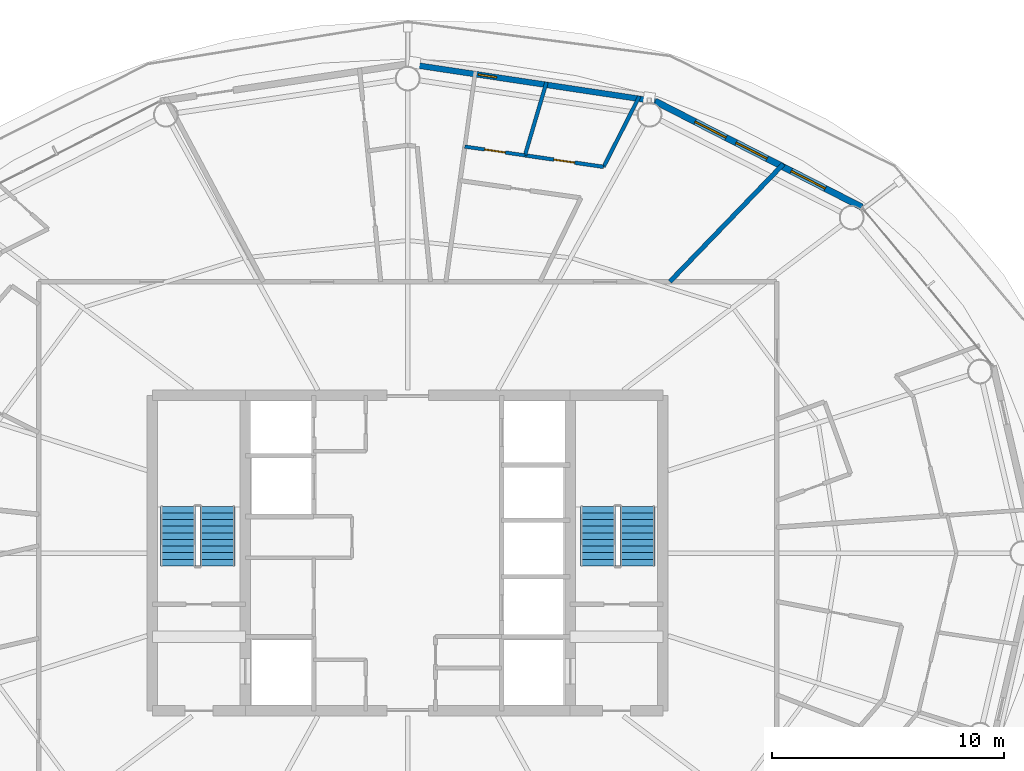
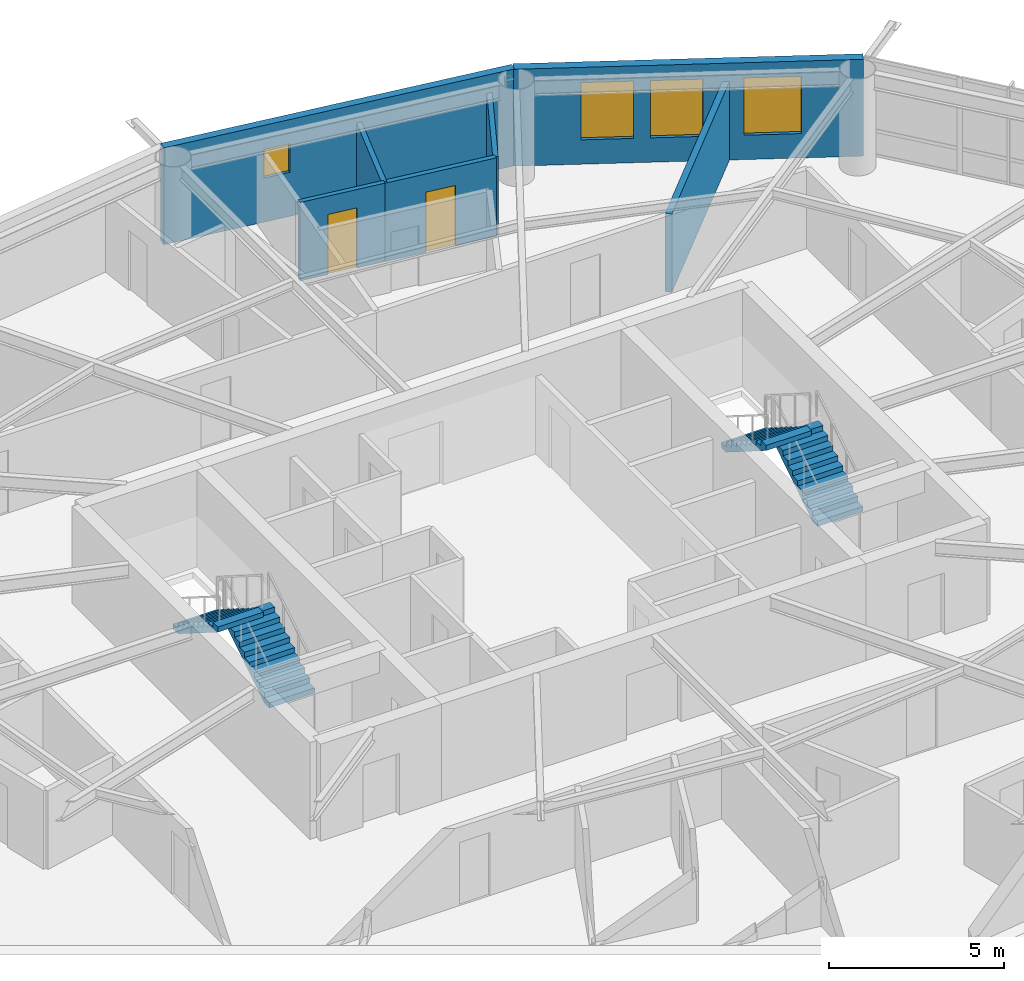
# One storey, part 24 of 27: 7 walls, 4 stair flights, 4 windows, 2 doors, 6 openings, 2 elements without a shape of their own.
"""IFC4 building model written with IfcOpenShell, lengths in metres."""

from ifc_helpers import new_model, si_unit, direction, frame, frame_2d, origin, place, context, subcontext, project, spatial, polyline, rectangle, outline, extrude, material, layer, layer_set, type_object, element, fill, aggregate, save


model = new_model("IFC4")

# Units and contexts
model_context = context("Model", 3, precision=1e-05, world=origin(), true_north=direction((0.0, 1.0)))
body_context = subcontext(model_context, "Body", "Model", "MODEL_VIEW")
ifc_project = project(units=[si_unit("LENGTHUNIT", "METRE"), si_unit("AREAUNIT", "SQUARE_METRE"), si_unit("VOLUMEUNIT", "CUBIC_METRE"), si_unit("PLANEANGLEUNIT", "RADIAN"), si_unit("MASSUNIT", "GRAM", prefix="KILO")], contexts=[model_context])

# Site, building, storey
site_placement = place(None, origin())
site = spatial("IfcSite", under=ifc_project, at=site_placement, CompositionType="ELEMENT")
building_placement = place(site_placement, origin())
building = spatial("IfcBuilding", under=site, at=building_placement, Name="Sarneth Arch Tower", CompositionType="ELEMENT")
storey_placement = place(building_placement, frame((0.0, 0.0, 157.800048828125)))
storey = spatial("IfcBuildingStorey", under=building, at=storey_placement, Name="L39", CompositionType="ELEMENT", Elevation=157.800048828125)

# Wall, opening, window
ifc_material_1 = material(Name="Extruded terracotta rainscreen on Concrete C40/50 backing", Category="masonry")
ifc_layer_1 = layer(ifc_material_1, 0.25)
ifc_layer_set_1 = layer_set([ifc_layer_1], Name="Extruded terracotta rainscreen on Concrete C40/50 backing")
wall_type_1 = type_object("IfcWallType", Name="WALL-EXT-SPAND-250", PredefinedType="SOLIDWALL", material=ifc_layer_set_1)
wall_1_placement = place(storey_placement, frame((58.662841796875, 61.475341796875, 0.0), z_axis=(0.0, 0.0, 1.0), x_axis=(-0.988863993413, 0.148822049884, 0.0)))
wall_1 = element("IfcWall", 1, at=wall_1_placement, inside=storey, type_object=wall_type_1, Name="L39 Terracotta perimeter wall 04", PredefinedType="SOLIDWALL", context=body_context, shape_type="SweptSolid", body=[
    extrude(rectangle(XDim=10.782958984375, YDim=0.25, at=frame_2d((5.3916015625, 0.0))), origin(), (0.0, 0.0, 1.0), 3.3798828125),
])
opening_1_placement = place(wall_1_placement, frame((6.91015625, 0.0, 1.5400390625)))
opening_1 = element("IfcOpeningElement", 2, at=opening_1_placement, cuts=wall_1, Name="Opening W-15", PredefinedType="OPENING", context=body_context, shape_type="SweptSolid", body=[
    extrude(rectangle(XDim=0.800048828125, YDim=1.0, at=frame_2d((0.39990234375, 0.5))), frame((0.0, 0.135009765625, 0.0), z_axis=(0.0, -1.0, 0.0), x_axis=(1.0, 0.0, 0.0)), (0.0, 0.0, 1.0), 0.27001953125),
])
ifc_material_2 = material(Name="Thermally broken Aluminium 6063-T6 and low-e laminated IGU", Category="aluminium")
window_type_1 = type_object("IfcWindowType", Name="WIN-TWR-800x1000", PartitioningType="SINGLE_PANEL", PredefinedType="WINDOW", material=ifc_material_2)
window_1_placement = place(opening_1_placement, origin())
window_1 = element("IfcWindow", 3, at=window_1_placement, inside=storey, type_object=window_type_1, Name="L39 Dwelling bedroom window 01", OverallHeight=1.0, OverallWidth=0.800048828125, PartitioningType="SINGLE_PANEL", PredefinedType="WINDOW", context=body_context, shape_type="SweptSolid", body=[
    extrude(rectangle(XDim=0.800048828125, YDim=1.0, at=frame_2d((0.39990234375, 0.5))), frame((0.0, 0.030029296875, 0.0), z_axis=(0.0, -1.0, 0.0), x_axis=(1.0, 0.0, 0.0)), (0.0, 0.0, 1.0), 0.06005859375),
])
fill(opening_1, window_1)

# Wall, openings, windows
ifc_material_3 = material(Name="Extruded terracotta rainscreen on Concrete C40/50 backing", Category="masonry")
ifc_layer_2 = layer(ifc_material_3, 0.280029296875)
ifc_layer_set_2 = layer_set([ifc_layer_2], Name="Extruded terracotta rainscreen on Concrete C40/50 backing")
wall_type_2 = type_object("IfcWallType", Name="WALL-EXT-TERRA-280", PredefinedType="SOLIDWALL", material=ifc_layer_set_2)
wall_2_placement = place(storey_placement, frame((67.576171875, 56.90576171875, 0.0), z_axis=(0.0, 0.0, 1.0), x_axis=(-0.889872523182, 0.456209263919, 0.0)))
wall_2 = element("IfcWall", 4, at=wall_2_placement, inside=storey, type_object=wall_type_2, Name="L39 Terracotta perimeter wall 03", PredefinedType="SOLIDWALL", context=body_context, shape_type="SweptSolid", body=[
    extrude(rectangle(XDim=10.016357421875, YDim=0.280029296875, at=frame_2d((5.00830078125, 0.0))), origin(), (0.0, 0.0, 1.0), 3.3798828125),
])
opening_2_placement = place(wall_2_placement, frame((1.775146484375, 0.0, 0.85009765625)))
opening_2 = element("IfcOpeningElement", 5, at=opening_2_placement, cuts=wall_2, Name="Opening W-05", PredefinedType="OPENING", context=body_context, shape_type="SweptSolid", body=[
    extrude(rectangle(XDim=1.64990234375, YDim=2.0, at=frame_2d((0.824951171875, 1.0))), frame((0.0, 0.14990234375, 0.0), z_axis=(0.0, -1.0, 0.0), x_axis=(1.0, 0.0, 0.0)), (0.0, 0.0, 1.0), 0.300048828125),
])
opening_3_placement = place(wall_2_placement, frame((4.59521484375, 0.0, 0.85009765625)))
opening_3 = element("IfcOpeningElement", 6, at=opening_3_placement, cuts=wall_2, Name="Opening W-06", PredefinedType="OPENING", context=body_context, shape_type="SweptSolid", body=[
    extrude(rectangle(XDim=1.5, YDim=2.0, at=frame_2d((0.75, 1.0))), frame((0.0, 0.14990234375, 0.0), z_axis=(0.0, -1.0, 0.0), x_axis=(1.0, 0.0, 0.0)), (0.0, 0.0, 1.0), 0.300048828125),
])
opening_4_placement = place(wall_2_placement, frame((6.580078125, 0.0, 0.85009765625)))
opening_4 = element("IfcOpeningElement", 7, at=opening_4_placement, cuts=wall_2, Name="Opening W-06", PredefinedType="OPENING", context=body_context, shape_type="SweptSolid", body=[
    extrude(rectangle(XDim=1.5, YDim=2.0, at=frame_2d((0.75, 1.0))), frame((0.0, 0.14990234375, 0.0), z_axis=(0.0, -1.0, 0.0), x_axis=(1.0, 0.0, 0.0)), (0.0, 0.0, 1.0), 0.300048828125),
])
ifc_material_4 = material(Name="Thermally broken Aluminium 6063-T6 and low-e laminated IGU", Category="aluminium")
window_type_2 = type_object("IfcWindowType", Name="WIN-TWR-1500x2000", PartitioningType="SINGLE_PANEL", PredefinedType="WINDOW", material=ifc_material_4)
window_2_placement = place(opening_3_placement, origin())
window_2 = element("IfcWindow", 8, at=window_2_placement, inside=storey, type_object=window_type_2, Name="L39 Exterior window 03B", OverallHeight=2.0, OverallWidth=1.5, PartitioningType="SINGLE_PANEL", PredefinedType="WINDOW", context=body_context, shape_type="SweptSolid", body=[
    extrude(rectangle(XDim=1.5, YDim=2.0, at=frame_2d((0.75, 1.0))), frame((0.0, 0.030029296875, 0.0), z_axis=(0.0, -1.0, 0.0), x_axis=(1.0, 0.0, 0.0)), (0.0, 0.0, 1.0), 0.06005859375),
])
fill(opening_3, window_2)
window_3_placement = place(opening_4_placement, origin())
window_3 = element("IfcWindow", 9, at=window_3_placement, inside=storey, type_object=window_type_2, Name="L39 Exterior window 03C", OverallHeight=2.0, OverallWidth=1.5, PartitioningType="SINGLE_PANEL", PredefinedType="WINDOW", context=body_context, shape_type="SweptSolid", body=[
    extrude(rectangle(XDim=1.5, YDim=2.0, at=frame_2d((0.75, 1.0))), frame((0.0, 0.030029296875, 0.0), z_axis=(0.0, -1.0, 0.0), x_axis=(1.0, 0.0, 0.0)), (0.0, 0.0, 1.0), 0.06005859375),
])
fill(opening_4, window_3)
ifc_material_5 = material(Name="Thermally broken Aluminium 6063-T6 and low-e laminated IGU", Category="aluminium")
window_type_3 = type_object("IfcWindowType", Name="WIN-TWR-1650x2000", PartitioningType="DOUBLE_PANEL_VERTICAL", PredefinedType="WINDOW", material=ifc_material_5)
window_4_placement = place(opening_2_placement, origin())
window_4 = element("IfcWindow", 10, at=window_4_placement, inside=storey, type_object=window_type_3, Name="L39 Exterior window 03A", OverallHeight=2.0, OverallWidth=1.64990234375, PartitioningType="SINGLE_PANEL", PredefinedType="WINDOW", context=body_context, shape_type="SweptSolid", body=[
    extrude(rectangle(XDim=1.64990234375, YDim=2.0, at=frame_2d((0.824951171875, 1.0))), frame((0.0, 0.030029296875, 0.0), z_axis=(0.0, -1.0, 0.0), x_axis=(1.0, 0.0, 0.0)), (0.0, 0.0, 1.0), 0.06005859375),
])
fill(opening_2, window_4)

# Wall, opening, door
ifc_material_6 = material(Name="Acoustic gypsum stud partition", Category="gypsum")
ifc_layer_3 = layer(ifc_material_6, 0.14990234375)
ifc_layer_set_3 = layer_set([ifc_layer_3], Name="Acoustic gypsum stud partition")
wall_type_3 = type_object("IfcWallType", Name="WALL-PART-150", PredefinedType="PARTITIONING", material=ifc_layer_set_3)
wall_3_placement = place(storey_placement, frame((53.052978515625, 59.140869140625, 0.0), z_axis=(0.0, 0.0, 1.0), x_axis=(-0.989458783037, 0.144814766757, 0.0)))
wall_3 = element("IfcWall", 11, at=wall_3_placement, inside=storey, type_object=wall_type_3, Name="L39 Interior partition W-L39-TP-041", PredefinedType="PARTITIONING", context=body_context, shape_type="SweptSolid", body=[
    extrude(rectangle(XDim=2.6181640625, YDim=0.14990234375, at=frame_2d((1.30908203125, 0.0))), origin(), (0.0, 0.0, 1.0), 2.739990234375),
])
opening_5_placement = place(wall_3_placement, frame((0.859130859375, 0.0, 0.0)))
opening_5 = element("IfcOpeningElement", 12, at=opening_5_placement, cuts=wall_3, Name="Opening ID-01", PredefinedType="OPENING", context=body_context, shape_type="SweptSolid", body=[
    extrude(rectangle(XDim=0.89990234375, YDim=2.10009765625, at=frame_2d((0.449951171875, 1.050048828125))), frame((0.0, 0.0849609375, 0.0), z_axis=(0.0, -1.0, 0.0), x_axis=(1.0, 0.0, 0.0)), (0.0, 0.0, 1.0), 0.169921875),
])
ifc_material_7 = material(Name="Engineered hardwood flush door", Category="wood")
door_type = type_object("IfcDoorType", Name="DR-INT-900", OperationType="SINGLE_SWING_LEFT", PredefinedType="DOOR", material=ifc_material_7)
door_1_placement = place(opening_5_placement, origin())
door_1 = element("IfcDoor", 13, at=door_1_placement, inside=storey, type_object=door_type, Name="L39 Interior door DR-L39-U2-BED1", OperationType="SINGLE_SWING_LEFT", OverallHeight=2.10009765625, OverallWidth=0.89990234375, PredefinedType="DOOR", context=body_context, shape_type="SweptSolid", body=[
    extrude(rectangle(XDim=0.89990234375, YDim=2.10009765625, at=frame_2d((0.449951171875, 1.050048828125))), frame((0.0, 0.02490234375, 0.0), z_axis=(0.0, -1.0, 0.0), x_axis=(1.0, 0.0, 0.0)), (0.0, 0.0, 1.0), 0.050048828125),
])
fill(opening_5, door_1)

ifc_material_8 = material(Name="Kitchen wet service chase wall", Category="gypsum")
ifc_layer_4 = layer(ifc_material_8, 0.159912109375)
ifc_layer_set_4 = layer_set([ifc_layer_4], Name="Kitchen wet service chase wall")
wall_type_4 = type_object("IfcWallType", Name="WALL-PLUMB-160", PredefinedType="PLUMBINGWALL", material=ifc_layer_set_4)
wall_4_placement = place(storey_placement, frame((56.442138671875, 58.645263671875, 0.0), z_axis=(0.0, 0.0, 1.0), x_axis=(-0.989476501308, 0.144693653483, 0.0)))
wall_4 = element("IfcWall", 14, at=wall_4_placement, inside=storey, type_object=wall_type_4, Name="L39 Interior partition W-L39-TP-038", PredefinedType="PLUMBINGWALL", context=body_context, shape_type="SweptSolid", body=[
    extrude(rectangle(XDim=3.42529296875, YDim=0.159912109375, at=frame_2d((1.712646484375, 0.0))), origin(), (0.0, 0.0, 1.0), 2.739990234375),
])
opening_6_placement = place(wall_4_placement, frame((1.2626953125, 0.0, 0.0)))
opening_6 = element("IfcOpeningElement", 15, at=opening_6_placement, cuts=wall_4, Name="Opening ID-01", PredefinedType="OPENING", context=body_context, shape_type="SweptSolid", body=[
    extrude(rectangle(XDim=0.89990234375, YDim=2.10009765625, at=frame_2d((0.449951171875, 1.050048828125))), frame((0.0, 0.08984375, 0.0), z_axis=(0.0, -1.0, 0.0), x_axis=(1.0, 0.0, 0.0)), (0.0, 0.0, 1.0), 0.179931640625),
])
door_2_placement = place(opening_6_placement, origin())
door_2 = element("IfcDoor", 16, at=door_2_placement, inside=storey, type_object=door_type, Name="L39 Interior door DR-L39-U2-KIT", OperationType="SINGLE_SWING_LEFT", OverallHeight=2.10009765625, OverallWidth=0.89990234375, PredefinedType="DOOR", context=body_context, shape_type="SweptSolid", body=[
    extrude(rectangle(XDim=0.89990234375, YDim=2.10009765625, at=frame_2d((0.449951171875, 1.050048828125))), frame((0.0, 0.02490234375, 0.0), z_axis=(0.0, -1.0, 0.0), x_axis=(1.0, 0.0, 0.0)), (0.0, 0.0, 1.0), 0.050048828125),
])
fill(opening_6, door_2)

# Walls
wall_5_placement = place(storey_placement, frame((57.98779296875, 61.692138671875, 0.0), z_axis=(0.0, 0.0, 1.0), x_axis=(-0.452408261564, -0.89181094682, 0.0)))
element("IfcWall", 17, at=wall_5_placement, inside=storey, type_object=wall_type_4, Name="L39 Interior partition W-L39-TP-037", PredefinedType="PLUMBINGWALL", context=body_context, shape_type="SweptSolid", body=[
    extrude(rectangle(XDim=3.41650390625, YDim=0.159912109375, at=frame_2d((1.708251953125, 0.0))), origin(), (0.0, 0.0, 1.0), 2.739990234375),
])
wall_6_placement = place(storey_placement, frame((53.052978515625, 59.140869140625, 0.0), z_axis=(0.0, 0.0, 1.0), x_axis=(0.282828521875, 0.959170489128, 0.0)))
element("IfcWall", 18, at=wall_6_placement, inside=storey, type_object=wall_type_4, Name="L39 Interior partition W-L39-TP-043", PredefinedType="PLUMBINGWALL", context=body_context, shape_type="SweptSolid", body=[
    extrude(rectangle(XDim=3.293212890625, YDim=0.159912109375, at=frame_2d((1.646484375, 0.0))), origin(), (0.0, 0.0, 1.0), 2.739990234375),
])
ifc_material_9 = material(Name="Double steel-stud acoustic drywall", Category="steel")
ifc_layer_5 = layer(ifc_material_9, 0.199951171875)
ifc_layer_set_5 = layer_set([ifc_layer_5], Name="Double steel-stud acoustic drywall")
wall_type_5 = type_object("IfcWallType", Name="WALL-UNIT-200", PredefinedType="PARTITIONING", material=ifc_layer_set_5)
wall_7_placement = place(storey_placement, frame((64.193603515625, 58.76904296875, 0.0), z_axis=(0.0, 0.0, 1.0), x_axis=(-0.694647685064, -0.719350118952, 0.0)))
element("IfcWall", 19, at=wall_7_placement, inside=storey, type_object=wall_type_5, Name="L39 Interior partition W-L39-TP-033", PredefinedType="PARTITIONING", context=body_context, shape_type="SweptSolid", body=[
    extrude(rectangle(XDim=7.046875, YDim=0.199951171875, at=frame_2d((3.5234375, 0.0))), origin(), (0.0, 0.0, 1.0), 2.739990234375),
])

# Stair, stair flights
ifc_material_10 = material(Name="Concrete C50/60", Category="concrete")
stair_type = type_object("IfcStairType", Name="STAIR-CORE-RC", PredefinedType="HALF_TURN_STAIR", material=ifc_material_10)
stair_1_placement = place(storey_placement, origin())
stair_1 = element("IfcStair", 20, at=stair_1_placement, inside=storey, type_object=stair_type, Name="L39 Core Exit Stair 1", PredefinedType="HALF_TURN_STAIR")
ifc_material_11 = material(Name="Concrete C50/60", Category="concrete")
stair_flight_type = type_object("IfcStairFlightType", Name="FLIGHT-RC-1500", PredefinedType="STRAIGHT", material=ifc_material_11)
stair_flight_1_placement = place(storey_placement, frame((39.800048828125, 41.449951171875, 0.0), z_axis=(0.0, 0.0, 1.0), x_axis=(0.0, 1.0, 0.0)))
stair_flight_1 = element("IfcStairFlight", 21, at=stair_flight_1_placement, type_object=stair_flight_type, Name="ST-1 flight 1", NumberOfRisers=10, NumberOfTreads=9, PredefinedType="STRAIGHT", RiserHeight=0.18, TreadLength=0.285, context=body_context, shape_type="SweptSolid", body=[
    extrude(outline(polyline([(0.0, 0.0), (0.0, 0.179931640625), (0.284912109375, 0.179931640625), (0.284912109375, 0.360107421875), (0.570068359375, 0.360107421875), (0.570068359375, 0.5400390625), (0.85498046875, 0.5400390625), (0.85498046875, 0.719970703125), (1.139892578125, 0.719970703125), (1.139892578125, 0.89990234375), (1.425048828125, 0.89990234375), (1.425048828125, 1.080078125), (1.7099609375, 1.080078125), (1.7099609375, 1.260009765625), (1.9951171875, 1.260009765625), (1.9951171875, 1.43994140625), (2.280029296875, 1.43994140625), (2.280029296875, 1.6201171875), (2.56494140625, 1.6201171875), (2.56494140625, 1.800048828125), (2.56494140625, 1.442626953125), (0.28076171875, 0.0), (0.0, 0.0)])), frame((0.0, 0.75, 0.0), z_axis=(0.0, -1.0, 0.0), x_axis=(1.0, 0.0, 0.0)), (0.0, 0.0, 1.0), 1.5),
])
stair_flight_2_placement = place(storey_placement, frame((38.10009765625, 44.014892578125, 1.800048828125), z_axis=(0.0, 0.0, 1.0), x_axis=(0.0, -1.0, 0.0)))
stair_flight_2 = element("IfcStairFlight", 22, at=stair_flight_2_placement, type_object=stair_flight_type, Name="ST-1 flight 2", NumberOfRisers=10, NumberOfTreads=9, PredefinedType="STRAIGHT", RiserHeight=0.18, TreadLength=0.285, context=body_context, shape_type="SweptSolid", body=[
    extrude(outline(polyline([(0.0, 0.0), (0.0, 0.179931640625), (0.284912109375, 0.179931640625), (0.284912109375, 0.360107421875), (0.570068359375, 0.360107421875), (0.570068359375, 0.5400390625), (0.85498046875, 0.5400390625), (0.85498046875, 0.719970703125), (1.139892578125, 0.719970703125), (1.139892578125, 0.89990234375), (1.425048828125, 0.89990234375), (1.425048828125, 1.080078125), (1.7099609375, 1.080078125), (1.7099609375, 1.260009765625), (1.9951171875, 1.260009765625), (1.9951171875, 1.43994140625), (2.280029296875, 1.43994140625), (2.280029296875, 1.6201171875), (2.56494140625, 1.6201171875), (2.56494140625, 1.800048828125), (2.56494140625, 1.442626953125), (0.28076171875, 0.0), (0.0, 0.0)])), frame((0.0, 0.75, 0.0), z_axis=(0.0, -1.0, 0.0), x_axis=(1.0, 0.0, 0.0)), (0.0, 0.0, 1.0), 1.5),
])
aggregate(stair_1, [stair_flight_1, stair_flight_2])

stair_2_placement = place(storey_placement, origin())
stair_2 = element("IfcStair", 23, at=stair_2_placement, inside=storey, type_object=stair_type, Name="L39 Core Exit Stair 2", PredefinedType="HALF_TURN_STAIR")
stair_flight_3_placement = place(storey_placement, frame((57.89990234375, 41.449951171875, 0.0), z_axis=(0.0, 0.0, 1.0), x_axis=(0.0, 1.0, 0.0)))
stair_flight_3 = element("IfcStairFlight", 24, at=stair_flight_3_placement, type_object=stair_flight_type, Name="ST-2 flight 1", NumberOfRisers=10, NumberOfTreads=9, PredefinedType="STRAIGHT", RiserHeight=0.18, TreadLength=0.285, context=body_context, shape_type="SweptSolid", body=[
    extrude(outline(polyline([(0.0, 0.0), (0.0, 0.179931640625), (0.284912109375, 0.179931640625), (0.284912109375, 0.360107421875), (0.570068359375, 0.360107421875), (0.570068359375, 0.5400390625), (0.85498046875, 0.5400390625), (0.85498046875, 0.719970703125), (1.139892578125, 0.719970703125), (1.139892578125, 0.89990234375), (1.425048828125, 0.89990234375), (1.425048828125, 1.080078125), (1.7099609375, 1.080078125), (1.7099609375, 1.260009765625), (1.9951171875, 1.260009765625), (1.9951171875, 1.43994140625), (2.280029296875, 1.43994140625), (2.280029296875, 1.6201171875), (2.56494140625, 1.6201171875), (2.56494140625, 1.800048828125), (2.56494140625, 1.442626953125), (0.28076171875, 0.0), (0.0, 0.0)])), frame((0.0, 0.75, 0.0), z_axis=(0.0, -1.0, 0.0), x_axis=(1.0, 0.0, 0.0)), (0.0, 0.0, 1.0), 1.5),
])
stair_flight_4_placement = place(storey_placement, frame((56.199951171875, 44.014892578125, 1.800048828125), z_axis=(0.0, 0.0, 1.0), x_axis=(0.0, -1.0, 0.0)))
stair_flight_4 = element("IfcStairFlight", 25, at=stair_flight_4_placement, type_object=stair_flight_type, Name="ST-2 flight 2", NumberOfRisers=10, NumberOfTreads=9, PredefinedType="STRAIGHT", RiserHeight=0.18, TreadLength=0.285, context=body_context, shape_type="SweptSolid", body=[
    extrude(outline(polyline([(0.0, 0.0), (0.0, 0.179931640625), (0.284912109375, 0.179931640625), (0.284912109375, 0.360107421875), (0.570068359375, 0.360107421875), (0.570068359375, 0.5400390625), (0.85498046875, 0.5400390625), (0.85498046875, 0.719970703125), (1.139892578125, 0.719970703125), (1.139892578125, 0.89990234375), (1.425048828125, 0.89990234375), (1.425048828125, 1.080078125), (1.7099609375, 1.080078125), (1.7099609375, 1.260009765625), (1.9951171875, 1.260009765625), (1.9951171875, 1.43994140625), (2.280029296875, 1.43994140625), (2.280029296875, 1.6201171875), (2.56494140625, 1.6201171875), (2.56494140625, 1.800048828125), (2.56494140625, 1.442626953125), (0.28076171875, 0.0), (0.0, 0.0)])), frame((0.0, 0.75, 0.0), z_axis=(0.0, -1.0, 0.0), x_axis=(1.0, 0.0, 0.0)), (0.0, 0.0, 1.0), 1.5),
])
aggregate(stair_2, [stair_flight_3, stair_flight_4])

save(model, "model.ifc")
